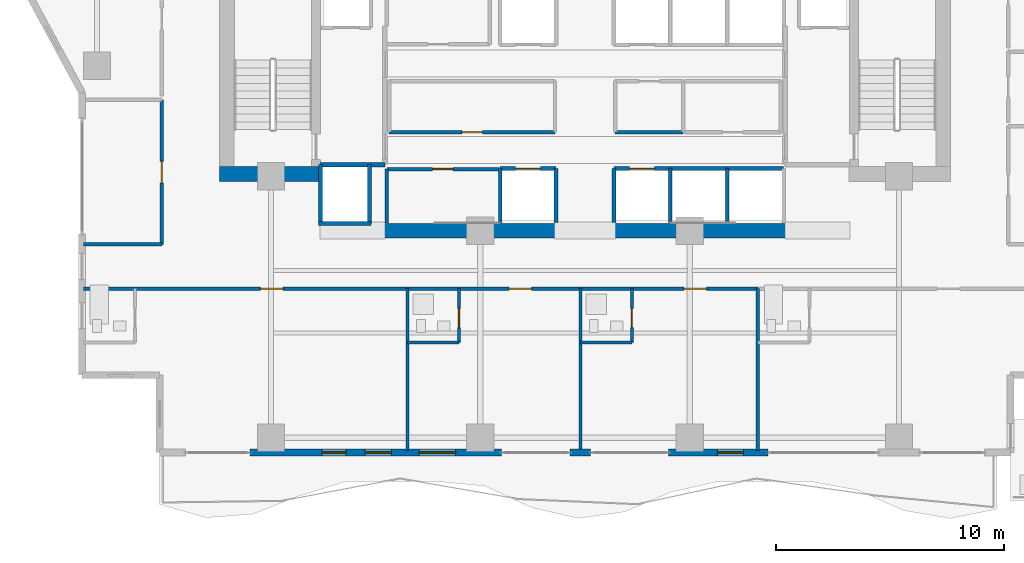
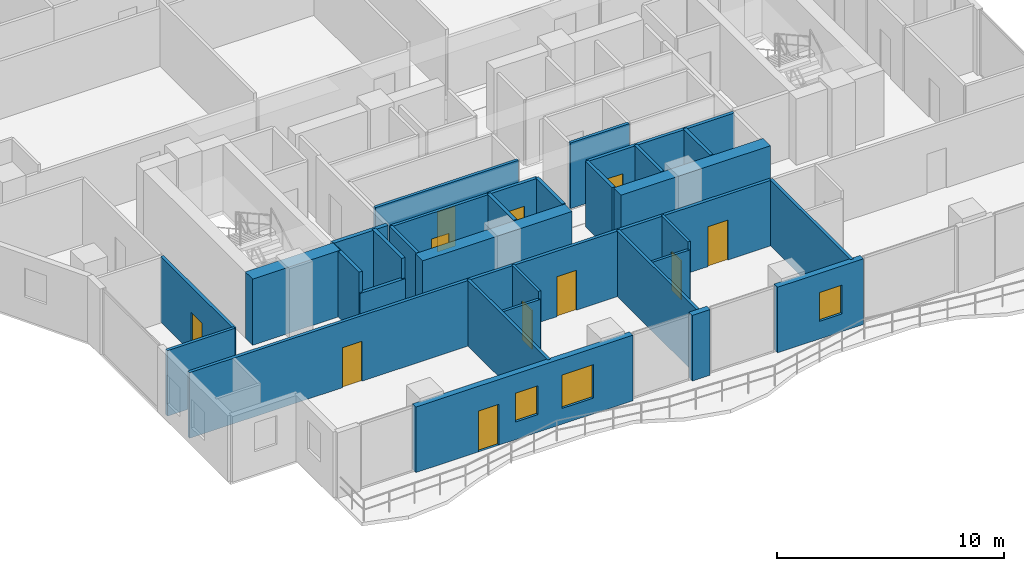
# One storey, part 24 of 33: 35 walls, 11 doors, 3 windows, 14 openings.
"""IFC4 building model written with IfcOpenShell, lengths in metres."""

from ifc_helpers import new_model, si_unit, direction, frame, frame_2d, origin, place, context, subcontext, project, spatial, rectangle, extrude, material, layer, layer_set, type_object, element, fill, save


model = new_model("IFC4")

# Units and contexts
model_context = context("Model", 3, precision=1e-05, world=origin(), true_north=direction((0.0, 1.0)))
body_context = subcontext(model_context, "Body", "Model", "MODEL_VIEW")
ifc_project = project(units=[si_unit("LENGTHUNIT", "METRE"), si_unit("AREAUNIT", "SQUARE_METRE"), si_unit("VOLUMEUNIT", "CUBIC_METRE"), si_unit("PLANEANGLEUNIT", "RADIAN"), si_unit("MASSUNIT", "GRAM", prefix="KILO")], contexts=[model_context])

# Site, building, storey
site_placement = place(None, origin())
site = spatial("IfcSite", under=ifc_project, at=site_placement, CompositionType="ELEMENT")
building_placement = place(site_placement, origin())
building = spatial("IfcBuilding", under=site, at=building_placement, Name="Zuhayl Quay Hotel", CompositionType="ELEMENT")
storey_placement = place(building_placement, frame((0.0, 0.0, 199.89990234375)))
storey = spatial("IfcBuildingStorey", under=building, at=storey_placement, Name="L50", CompositionType="ELEMENT", Elevation=199.89990234375)

# Walls
ifc_material_1 = material(Name="Concrete C50/60", Category="concrete")
ifc_layer_1 = layer(ifc_material_1, 0.64990234375, Name="Concrete C50/60", Category="concrete")
ifc_layer_set_1 = layer_set([ifc_layer_1], Name="Concrete C50/60")
wall_type_1 = type_object("IfcWallType", Name="WL_CORE_650", PredefinedType="SHEAR", material=ifc_layer_set_1)
wall_1_placement = place(storey_placement, frame((-16.06005859375, 4.64501953125, 0.0), z_axis=(0.0, 0.0, 1.0), x_axis=(1.0, 0.0, 0.0)))
element("IfcWall", 1, at=wall_1_placement, inside=storey, type_object=wall_type_1, Name="L50 Core Shear Wall CW_SW", PredefinedType="SHEAR", context=body_context, shape_type="SweptSolid", body=[
    extrude(rectangle(XDim=4.4599609375, YDim=0.64990234375, at=frame_2d((2.22998046875, 0.0))), origin(), (0.0, 0.0, 1.0), 3.56005859375),
])
for number, where, z_axis, x_axis, name in (
    (2, (-8.85009765625, 2.14990234375, 0.0), (0.0, 0.0, 1.0), (1.0, 0.0, 0.0), "L50 Core Shear Wall CW_SC_W"),
    (3, (1.25, 2.14990234375, 0.0), (0.0, 0.0, 1.0), (1.0, 0.0, 0.0), "L50 Core Shear Wall CW_SC_E"),
):
    element("IfcWall", number, at=place(storey_placement, frame(where, z_axis=z_axis, x_axis=x_axis)), inside=storey, type_object=wall_type_1, Name=name, PredefinedType="SHEAR", context=body_context, shape_type="SweptSolid", body=[
        extrude(rectangle(XDim=7.60009765625, YDim=0.64990234375, at=frame_2d((3.800048828125, 0.0))), origin(), (0.0, 0.0, 1.0), 3.530029296875),
    ])

# Wall, opening, window
ifc_material_2 = material(Name="Precast concrete C45/55", Category="concrete")
ifc_layer_2 = layer(ifc_material_2, 0.300048828125, Name="Precast concrete C45/55", Category="concrete")
ifc_layer_set_2 = layer_set([ifc_layer_2], Name="Precast concrete C45/55")
wall_type_2 = type_object("IfcWallType", Name="WL_EXT_300", PredefinedType="STANDARD", material=ifc_layer_set_2)
wall_2_placement = place(storey_placement, frame((8.050048828125, -7.60009765625, 0.0), z_axis=(0.0, 0.0, 1.0), x_axis=(-1.0, 0.0, 0.0)))
wall_2 = element("IfcWall", 4, at=wall_2_placement, inside=storey, type_object=wall_type_2, Name="L50 Exterior Precast Wall ENV_L50_S_EW3", PredefinedType="STANDARD", context=body_context, shape_type="SweptSolid", body=[
    extrude(rectangle(XDim=4.3701171875, YDim=0.300048828125, at=frame_2d((2.18505859375, 0.0))), origin(), (0.0, 0.0, 1.0), 3.530029296875),
])
opening_1_placement = place(wall_2_placement, frame((1.0849609375, 0.0, 0.949951171875)))
opening_1 = element("IfcOpeningElement", 5, at=opening_1_placement, cuts=wall_2, Name="Opening W01N", PredefinedType="OPENING", context=body_context, shape_type="SweptSolid", body=[
    extrude(rectangle(XDim=1.14990234375, YDim=1.550048828125, at=frame_2d((0.574951171875, 0.77490234375))), frame((0.0, 0.159912109375, 0.0), z_axis=(0.0, -1.0, 0.0), x_axis=(1.0, 0.0, 0.0)), (0.0, 0.0, 1.0), 0.320068359375),
])
ifc_material_3 = material(Name="Dark Ceramic-Fritted Solar Glass", Category="glass")
window_type_1 = type_object("IfcWindowType", Name="WN_NOTCH_1350", PartitioningType="SINGLE_PANEL", PredefinedType="WINDOW", material=ifc_material_3)
window_1_placement = place(opening_1_placement, origin())
window_1 = element("IfcWindow", 6, at=window_1_placement, inside=storey, type_object=window_type_1, Name="L50 Operable Facade Window 3-1", OverallHeight=1.550048828125, OverallWidth=1.14990234375, PartitioningType="SINGLE_PANEL", PredefinedType="WINDOW", context=body_context, shape_type="SweptSolid", body=[
    extrude(rectangle(XDim=1.14990234375, YDim=1.550048828125, at=frame_2d((0.574951171875, 0.77490234375))), frame((0.0, 0.030029296875, 0.0), z_axis=(0.0, -1.0, 0.0), x_axis=(1.0, 0.0, 0.0)), (0.0, 0.0, 1.0), 0.06005859375),
])
fill(opening_1, window_1)

# Wall
wall_3_placement = place(storey_placement, frame((0.25, -7.60009765625, 0.0), z_axis=(0.0, 0.0, 1.0), x_axis=(-1.0, 0.0, 0.0)))
element("IfcWall", 7, at=wall_3_placement, inside=storey, type_object=wall_type_2, Name="L50 Exterior Precast Wall ENV_L50_S_EW4", PredefinedType="STANDARD", context=body_context, shape_type="SweptSolid", body=[
    extrude(rectangle(XDim=0.89990234375, YDim=0.300048828125, at=frame_2d((0.449951171875, 0.0))), origin(), (0.0, 0.0, 1.0), 3.530029296875),
])

# Wall, openings, door, windows
wall_4_placement = place(storey_placement, frame((-3.679931640625, -7.60009765625, 0.0), z_axis=(0.0, 0.0, 1.0), x_axis=(-1.0, 0.0, 0.0)))
wall_4 = element("IfcWall", 8, at=wall_4_placement, inside=storey, type_object=wall_type_2, Name="L50 Exterior Precast Wall ENV_L50_S_EW5", PredefinedType="STANDARD", context=body_context, shape_type="SweptSolid", body=[
    extrude(rectangle(XDim=11.0400390625, YDim=0.300048828125, at=frame_2d((5.52001953125, 0.0))), origin(), (0.0, 0.0, 1.0), 3.530029296875),
])
opening_2_placement = place(wall_4_placement, frame((6.820068359375, 0.0, 0.0)))
opening_2 = element("IfcOpeningElement", 9, at=opening_2_placement, cuts=wall_4, Name="Opening DG1", PredefinedType="OPENING", context=body_context, shape_type="SweptSolid", body=[
    extrude(rectangle(XDim=1.050048828125, YDim=2.199951171875, at=frame_2d((0.52490234375, 1.10009765625))), frame((0.0, 0.159912109375, 0.0), z_axis=(0.0, -1.0, 0.0), x_axis=(1.0, 0.0, 0.0)), (0.0, 0.0, 1.0), 0.320068359375),
])
opening_3_placement = place(wall_4_placement, frame((2.010009765625, 0.0, 0.85009765625)))
opening_3 = element("IfcOpeningElement", 10, at=opening_3_placement, cuts=wall_4, Name="Opening W01", PredefinedType="OPENING", context=body_context, shape_type="SweptSolid", body=[
    extrude(rectangle(XDim=1.60009765625, YDim=1.800048828125, at=frame_2d((0.800048828125, 0.89990234375))), frame((0.0, 0.159912109375, 0.0), z_axis=(0.0, -1.0, 0.0), x_axis=(1.0, 0.0, 0.0)), (0.0, 0.0, 1.0), 0.320068359375),
])
opening_4_placement = place(wall_4_placement, frame((4.830078125, 0.0, 0.949951171875)))
opening_4 = element("IfcOpeningElement", 11, at=opening_4_placement, cuts=wall_4, Name="Opening W01N", PredefinedType="OPENING", context=body_context, shape_type="SweptSolid", body=[
    extrude(rectangle(XDim=1.14990234375, YDim=1.550048828125, at=frame_2d((0.574951171875, 0.77490234375))), frame((0.0, 0.159912109375, 0.0), z_axis=(0.0, -1.0, 0.0), x_axis=(1.0, 0.0, 0.0)), (0.0, 0.0, 1.0), 0.320068359375),
])
ifc_material_4 = material(Name="Anodised Aluminium and Dark Solar Glass", Category="aluminium")
door_type_1 = type_object("IfcDoorType", Name="DR_EXT_TERR_1050", OperationType="NOTDEFINED", PredefinedType="DOOR", material=ifc_material_4)
door_1_placement = place(opening_2_placement, origin())
door_1 = element("IfcDoor", 12, at=door_1_placement, inside=storey, type_object=door_type_1, Name="L50 South Rippling Balcony Door", OperationType="SINGLE_SWING_RIGHT", OverallHeight=2.199951171875, OverallWidth=1.050048828125, PredefinedType="DOOR", context=body_context, shape_type="SweptSolid", body=[
    extrude(rectangle(XDim=1.050048828125, YDim=2.199951171875, at=frame_2d((0.52490234375, 1.10009765625))), frame((0.0, 0.02490234375, 0.0), z_axis=(0.0, -1.0, 0.0), x_axis=(1.0, 0.0, 0.0)), (0.0, 0.0, 1.0), 0.050048828125),
])
fill(opening_2, door_1)
window_2_placement = place(opening_4_placement, origin())
window_2 = element("IfcWindow", 13, at=window_2_placement, inside=storey, type_object=window_type_1, Name="L50 Operable Facade Window 5-2", OverallHeight=1.550048828125, OverallWidth=1.14990234375, PartitioningType="SINGLE_PANEL", PredefinedType="WINDOW", context=body_context, shape_type="SweptSolid", body=[
    extrude(rectangle(XDim=1.14990234375, YDim=1.550048828125, at=frame_2d((0.574951171875, 0.77490234375))), frame((0.0, 0.030029296875, 0.0), z_axis=(0.0, -1.0, 0.0), x_axis=(1.0, 0.0, 0.0)), (0.0, 0.0, 1.0), 0.06005859375),
])
fill(opening_4, window_2)
window_type_2 = type_object("IfcWindowType", Name="WN_OPERABLE_1600", PartitioningType="DOUBLE_PANEL_VERTICAL", PredefinedType="WINDOW", material=ifc_material_3)
window_3_placement = place(opening_3_placement, origin())
window_3 = element("IfcWindow", 14, at=window_3_placement, inside=storey, type_object=window_type_2, Name="L50 Operable Facade Window 5-1", OverallHeight=1.800048828125, OverallWidth=1.60009765625, PartitioningType="SINGLE_PANEL", PredefinedType="WINDOW", context=body_context, shape_type="SweptSolid", body=[
    extrude(rectangle(XDim=1.60009765625, YDim=1.800048828125, at=frame_2d((0.800048828125, 0.89990234375))), frame((0.0, 0.030029296875, 0.0), z_axis=(0.0, -1.0, 0.0), x_axis=(1.0, 0.0, 0.0)), (0.0, 0.0, 1.0), 0.06005859375),
])
fill(opening_3, window_3)

# Wall, opening, door
ifc_material_5 = material(Name="Acoustic Gypsum Partition STC-58")
ifc_layer_3 = layer(ifc_material_5, 0.14990234375, Name="Acoustic Gypsum Partition STC-58")
ifc_layer_set_3 = layer_set([ifc_layer_3], Name="Acoustic Gypsum Partition STC-58")
wall_type_3 = type_object("IfcWallType", Name="WL_PART_150", PredefinedType="PARTITIONING", material=ifc_layer_set_3)
wall_5_placement = place(storey_placement, frame((-8.7099609375, 4.860107421875, 0.0), z_axis=(0.0, 0.0, 1.0), x_axis=(1.0, 0.0, 0.0)))
wall_5 = element("IfcWall", 15, at=wall_5_placement, inside=storey, type_object=wall_type_3, Name="L50 Partition IW_L50_FLP_S_N", PredefinedType="PARTITIONING", context=body_context, shape_type="SweptSolid", body=[
    extrude(rectangle(XDim=4.919921875, YDim=0.14990234375, at=frame_2d((2.4599609375, 0.0))), origin(), (0.0, 0.0, 1.0), 3.530029296875),
])
opening_5_placement = place(wall_5_placement, frame((2.010009765625, 0.0, 0.0)))
opening_5 = element("IfcOpeningElement", 16, at=opening_5_placement, cuts=wall_5, Name="Opening D06", PredefinedType="OPENING", context=body_context, shape_type="SweptSolid", body=[
    extrude(rectangle(XDim=0.89990234375, YDim=2.14990234375, at=frame_2d((0.449951171875, 1.074951171875))), frame((0.0, 0.0849609375, 0.0), z_axis=(0.0, -1.0, 0.0), x_axis=(1.0, 0.0, 0.0)), (0.0, 0.0, 1.0), 0.169921875),
])
ifc_material_6 = material(Name="Steel ASTM A992 Grade 50", Category="steel")
door_type_2 = type_object("IfcDoorType", Name="DR_INT_900", OperationType="NOTDEFINED", PredefinedType="DOOR", material=ifc_material_6)
door_2_placement = place(opening_5_placement, origin())
door_2 = element("IfcDoor", 17, at=door_2_placement, inside=storey, type_object=door_type_2, Name="L50 Sky-Zone Butler Servery Door", OperationType="SINGLE_SWING_RIGHT", OverallHeight=2.14990234375, OverallWidth=0.89990234375, PredefinedType="DOOR", context=body_context, shape_type="SweptSolid", body=[
    extrude(rectangle(XDim=0.89990234375, YDim=2.14990234375, at=frame_2d((0.449951171875, 1.074951171875))), frame((0.0, 0.02490234375, 0.0), z_axis=(0.0, -1.0, 0.0), x_axis=(1.0, 0.0, 0.0)), (0.0, 0.0, 1.0), 0.050048828125),
])
fill(opening_5, door_2)

wall_6_placement = place(storey_placement, frame((-8.610107421875, 6.47998046875, 0.0), z_axis=(0.0, 0.0, 1.0), x_axis=(1.0, 0.0, 0.0)))
wall_6 = element("IfcWall", 18, at=wall_6_placement, inside=storey, type_object=wall_type_3, Name="L50 Partition IW_L50_CORE_EL_S", PredefinedType="PARTITIONING", context=body_context, shape_type="SweptSolid", body=[
    extrude(rectangle(XDim=7.2900390625, YDim=0.14990234375, at=frame_2d((3.64501953125, 0.0))), origin(), (0.0, 0.0, 1.0), 3.530029296875),
])
opening_6_placement = place(wall_6_placement, frame((3.195068359375, 0.0, 0.0)))
opening_6 = element("IfcOpeningElement", 19, at=opening_6_placement, cuts=wall_6, Name="Opening D06", PredefinedType="OPENING", context=body_context, shape_type="SweptSolid", body=[
    extrude(rectangle(XDim=0.89990234375, YDim=2.14990234375, at=frame_2d((0.449951171875, 1.074951171875))), frame((0.0, 0.0849609375, 0.0), z_axis=(0.0, -1.0, 0.0), x_axis=(1.0, 0.0, 0.0)), (0.0, 0.0, 1.0), 0.169921875),
])
door_3_placement = place(opening_6_placement, origin())
door_3 = element("IfcDoor", 20, at=door_3_placement, inside=storey, type_object=door_type_2, Name="L50 Floor Electrical Plant Room Door", OperationType="SINGLE_SWING_RIGHT", OverallHeight=2.14990234375, OverallWidth=0.89990234375, PredefinedType="DOOR", context=body_context, shape_type="SweptSolid", body=[
    extrude(rectangle(XDim=0.89990234375, YDim=2.14990234375, at=frame_2d((0.449951171875, 1.074951171875))), frame((0.0, 0.02490234375, 0.0), z_axis=(0.0, -1.0, 0.0), x_axis=(1.0, 0.0, 0.0)), (0.0, 0.0, 1.0), 0.050048828125),
])
fill(opening_6, door_3)

# Walls
wall_7_placement = place(storey_placement, frame((-8.7099609375, 2.489990234375, 0.0), z_axis=(0.0, 0.0, 1.0), x_axis=(0.0, 1.0, 0.0)))
element("IfcWall", 21, at=wall_7_placement, inside=storey, type_object=wall_type_3, Name="L50 Partition IW_L50_FLP_S_W", PredefinedType="PARTITIONING", context=body_context, shape_type="SweptSolid", body=[
    extrude(rectangle(XDim=2.3701171875, YDim=0.14990234375, at=frame_2d((1.18505859375, 0.0))), origin(), (0.0, 0.0, 1.0), 3.530029296875),
])
wall_8_placement = place(storey_placement, frame((1.320068359375, 6.47998046875, 0.0), z_axis=(0.0, 0.0, 1.0), x_axis=(1.0, 0.0, 0.0)))
element("IfcWall", 22, at=wall_8_placement, inside=storey, type_object=wall_type_3, Name="L50 Partition IW_L50_CORE_IT_S", PredefinedType="PARTITIONING", context=body_context, shape_type="SweptSolid", body=[
    extrude(rectangle(XDim=2.989990234375, YDim=0.14990234375, at=frame_2d((1.4951171875, 0.0))), origin(), (0.0, 0.0, 1.0), 3.530029296875),
])
for number, where, z_axis, x_axis, name in (
    (23, (-7.800048828125, -7.52001953125, 0.0), (0.0, 0.0, 1.0), (0.0, 1.0, 0.0), "L50 Partition IW_L50_SU01_E"),
    (24, (-0.199951171875, -7.52001953125, 0.0), (0.0, 0.0, 1.0), (0.0, 1.0, 0.0), "L50 Partition IW_L50_SU02_E"),
    (25, (7.60009765625, -7.52001953125, 0.0), (0.0, 0.0, 1.0), (0.0, 1.0, 0.0), "L50 Partition IW_L50_SU03_E"),
):
    element("IfcWall", number, at=place(storey_placement, frame(where, z_axis=z_axis, x_axis=x_axis)), inside=storey, type_object=wall_type_3, Name=name, PredefinedType="PARTITIONING", context=body_context, shape_type="SweptSolid", body=[
        extrude(rectangle(XDim=7.1201171875, YDim=0.14990234375, at=frame_2d((3.56005859375, 0.0))), origin(), (0.0, 0.0, 1.0), 3.530029296875),
    ])
wall_9_placement = place(storey_placement, frame((-22.0400390625, 1.550048828125, 0.0), z_axis=(0.0, 0.0, 1.0), x_axis=(1.0, 0.0, 0.0)))
element("IfcWall", 26, at=wall_9_placement, inside=storey, type_object=wall_type_3, Name="L50 Partition IW_L50_WPROW_1_S", PredefinedType="PARTITIONING", context=body_context, shape_type="SweptSolid", body=[
    extrude(rectangle(XDim=3.43994140625, YDim=0.14990234375, at=frame_2d((1.719970703125, 0.0))), origin(), (0.0, 0.0, 1.0), 3.530029296875),
])

# Wall, opening, door
ifc_layer_4 = layer(ifc_material_5, 0.159912109375, Name="Acoustic Gypsum Partition STC-58")
ifc_layer_set_4 = layer_set([ifc_layer_4], Name="Acoustic Gypsum Partition STC-58")
wall_type_4 = type_object("IfcWallType", Name="WL_PART_CORR_160", PredefinedType="PARTITIONING", material=ifc_layer_set_4)
wall_10_placement = place(storey_placement, frame((-22.0400390625, -0.39990234375, 0.0), z_axis=(0.0, 0.0, 1.0), x_axis=(1.0, 0.0, 0.0)))
wall_10 = element("IfcWall", 27, at=wall_10_placement, inside=storey, type_object=wall_type_4, Name="L50 Partition IW_L50_SU01_COR", PredefinedType="PARTITIONING", context=body_context, shape_type="SweptSolid", body=[
    extrude(rectangle(XDim=14.239990234375, YDim=0.159912109375, at=frame_2d((7.1201171875, 0.0))), origin(), (0.0, 0.0, 1.0), 3.530029296875),
])
opening_7_placement = place(wall_10_placement, frame((7.77001953125, 0.0, 0.0)))
opening_7 = element("IfcOpeningElement", 28, at=opening_7_placement, cuts=wall_10, Name="Opening D03L", PredefinedType="OPENING", context=body_context, shape_type="SweptSolid", body=[
    extrude(rectangle(XDim=1.0, YDim=2.14990234375, at=frame_2d((0.5, 1.074951171875))), frame((0.0, 0.08984375, 0.0), z_axis=(0.0, -1.0, 0.0), x_axis=(1.0, 0.0, 0.0)), (0.0, 0.0, 1.0), 0.179931640625),
])
ifc_material_7 = material(Name="Solid Walnut Acoustic Fire Door")
door_type_3 = type_object("IfcDoorType", Name="DR_SUITE_1000", OperationType="NOTDEFINED", PredefinedType="DOOR", material=ifc_material_7)
door_4_placement = place(opening_7_placement, origin())
door_4 = element("IfcDoor", 29, at=door_4_placement, inside=storey, type_object=door_type_3, Name="L50 City-View Junior Suite L50-01 Entrance Door", OperationType="SINGLE_SWING_RIGHT", OverallHeight=2.14990234375, OverallWidth=1.0, PredefinedType="DOOR", context=body_context, shape_type="SweptSolid", body=[
    extrude(rectangle(XDim=1.0, YDim=2.14990234375, at=frame_2d((0.5, 1.074951171875))), frame((0.0, 0.02490234375, 0.0), z_axis=(0.0, -1.0, 0.0), x_axis=(1.0, 0.0, 0.0)), (0.0, 0.0, 1.0), 0.050048828125),
])
fill(opening_7, door_4)

wall_11_placement = place(storey_placement, frame((-7.800048828125, -0.39990234375, 0.0), z_axis=(0.0, 0.0, 1.0), x_axis=(1.0, 0.0, 0.0)))
wall_11 = element("IfcWall", 30, at=wall_11_placement, inside=storey, type_object=wall_type_4, Name="L50 Partition IW_L50_SU02_COR", PredefinedType="PARTITIONING", context=body_context, shape_type="SweptSolid", body=[
    extrude(rectangle(XDim=7.60009765625, YDim=0.159912109375, at=frame_2d((3.800048828125, 0.0))), origin(), (0.0, 0.0, 1.0), 3.530029296875),
])
opening_8_placement = place(wall_11_placement, frame((4.449951171875, 0.0, 0.0)))
opening_8 = element("IfcOpeningElement", 31, at=opening_8_placement, cuts=wall_11, Name="Opening D03L", PredefinedType="OPENING", context=body_context, shape_type="SweptSolid", body=[
    extrude(rectangle(XDim=1.0, YDim=2.14990234375, at=frame_2d((0.5, 1.074951171875))), frame((0.0, 0.08984375, 0.0), z_axis=(0.0, -1.0, 0.0), x_axis=(1.0, 0.0, 0.0)), (0.0, 0.0, 1.0), 0.179931640625),
])
door_5_placement = place(opening_8_placement, origin())
door_5 = element("IfcDoor", 32, at=door_5_placement, inside=storey, type_object=door_type_3, Name="L50 City-View Junior Suite L50-02 Entrance Door", OperationType="SINGLE_SWING_RIGHT", OverallHeight=2.14990234375, OverallWidth=1.0, PredefinedType="DOOR", context=body_context, shape_type="SweptSolid", body=[
    extrude(rectangle(XDim=1.0, YDim=2.14990234375, at=frame_2d((0.5, 1.074951171875))), frame((0.0, 0.02490234375, 0.0), z_axis=(0.0, -1.0, 0.0), x_axis=(1.0, 0.0, 0.0)), (0.0, 0.0, 1.0), 0.050048828125),
])
fill(opening_8, door_5)

wall_12_placement = place(storey_placement, frame((-0.199951171875, -0.39990234375, 0.0), z_axis=(0.0, 0.0, 1.0), x_axis=(1.0, 0.0, 0.0)))
wall_12 = element("IfcWall", 33, at=wall_12_placement, inside=storey, type_object=wall_type_4, Name="L50 Partition IW_L50_SU03_COR", PredefinedType="PARTITIONING", context=body_context, shape_type="SweptSolid", body=[
    extrude(rectangle(XDim=7.800048828125, YDim=0.159912109375, at=frame_2d((3.89990234375, 0.0))), origin(), (0.0, 0.0, 1.0), 3.530029296875),
])
opening_9_placement = place(wall_12_placement, frame((4.550048828125, 0.0, 0.0)))
opening_9 = element("IfcOpeningElement", 34, at=opening_9_placement, cuts=wall_12, Name="Opening D03L", PredefinedType="OPENING", context=body_context, shape_type="SweptSolid", body=[
    extrude(rectangle(XDim=1.0, YDim=2.14990234375, at=frame_2d((0.5, 1.074951171875))), frame((0.0, 0.08984375, 0.0), z_axis=(0.0, -1.0, 0.0), x_axis=(1.0, 0.0, 0.0)), (0.0, 0.0, 1.0), 0.179931640625),
])
door_6_placement = place(opening_9_placement, origin())
door_6 = element("IfcDoor", 35, at=door_6_placement, inside=storey, type_object=door_type_3, Name="L50 City-View Junior Suite L50-03 Entrance Door", OperationType="SINGLE_SWING_RIGHT", OverallHeight=2.14990234375, OverallWidth=1.0, PredefinedType="DOOR", context=body_context, shape_type="SweptSolid", body=[
    extrude(rectangle(XDim=1.0, YDim=2.14990234375, at=frame_2d((0.5, 1.074951171875))), frame((0.0, 0.02490234375, 0.0), z_axis=(0.0, -1.0, 0.0), x_axis=(1.0, 0.0, 0.0)), (0.0, 0.0, 1.0), 0.050048828125),
])
fill(opening_9, door_6)

wall_13_placement = place(storey_placement, frame((-18.60009765625, 1.550048828125, 0.0), z_axis=(0.0, 0.0, 1.0), x_axis=(0.0, 1.0, 0.0)))
wall_13 = element("IfcWall", 36, at=wall_13_placement, inside=storey, type_object=wall_type_4, Name="L50 Partition IW_L50_WPROW_1_E", PredefinedType="PARTITIONING", context=body_context, shape_type="SweptSolid", body=[
    extrude(rectangle(XDim=6.349853515625, YDim=0.159912109375, at=frame_2d((3.1748046875, 0.0))), origin(), (0.0, 0.0, 1.0), 3.530029296875),
])
opening_10_placement = place(wall_13_placement, frame((2.699951171875, 0.0, 0.0)))
opening_10 = element("IfcOpeningElement", 37, at=opening_10_placement, cuts=wall_13, Name="Opening D03", PredefinedType="OPENING", context=body_context, shape_type="SweptSolid", body=[
    extrude(rectangle(XDim=0.949951171875, YDim=2.14990234375, at=frame_2d((0.47509765625, 1.074951171875))), frame((0.0, 0.08984375, 0.0), z_axis=(0.0, -1.0, 0.0), x_axis=(1.0, 0.0, 0.0)), (0.0, 0.0, 1.0), 0.179931640625),
])
door_type_4 = type_object("IfcDoorType", Name="DR_SUITE_950", OperationType="NOTDEFINED", PredefinedType="DOOR", material=ifc_material_7)
door_7_placement = place(opening_10_placement, origin())
door_7 = element("IfcDoor", 38, at=door_7_placement, inside=storey, type_object=door_type_4, Name="L50 West Prow Office L50 Door", OperationType="SINGLE_SWING_RIGHT", OverallHeight=2.14990234375, OverallWidth=0.949951171875, PredefinedType="DOOR", context=body_context, shape_type="SweptSolid", body=[
    extrude(rectangle(XDim=0.949951171875, YDim=2.14990234375, at=frame_2d((0.47509765625, 1.074951171875))), frame((0.0, 0.02490234375, 0.0), z_axis=(0.0, -1.0, 0.0), x_axis=(1.0, 0.0, 0.0)), (0.0, 0.0, 1.0), 0.050048828125),
])
fill(opening_10, door_7)

ifc_material_8 = material(Name="Moisture-Resistant Sanitarychase Gypsum")
ifc_layer_5 = layer(ifc_material_8, 0.135009765625, Name="Moisture-Resistant Sanitarychase Gypsum")
ifc_layer_set_5 = layer_set([ifc_layer_5], Name="Moisture-Resistant Sanitarychase Gypsum")
wall_type_5 = type_object("IfcWallType", Name="WL_PART_PLUMB_150", PredefinedType="PLUMBINGWALL", material=ifc_layer_set_5)
wall_14_placement = place(storey_placement, frame((-5.5400390625, -2.760009765625, 0.0), z_axis=(0.0, 0.0, 1.0), x_axis=(0.0, 1.0, 0.0)))
wall_14 = element("IfcWall", 39, at=wall_14_placement, inside=storey, type_object=wall_type_5, Name="L50 Partition IW_L50_SU02_BE", PredefinedType="PLUMBINGWALL", context=body_context, shape_type="SweptSolid", body=[
    extrude(rectangle(XDim=2.360107421875, YDim=0.135009765625, at=frame_2d((1.18017578125, 0.0))), origin(), (0.0, 0.0, 1.0), 3.530029296875),
])
opening_11_placement = place(wall_14_placement, frame((0.64990234375, 0.0, 0.0)))
opening_11 = element("IfcOpeningElement", 40, at=opening_11_placement, cuts=wall_14, Name="Opening D04", PredefinedType="OPENING", context=body_context, shape_type="SweptSolid", body=[
    extrude(rectangle(XDim=0.85009765625, YDim=2.10009765625, at=frame_2d((0.425048828125, 1.050048828125))), frame((0.0, 0.077392578125, 0.0), z_axis=(0.0, -1.0, 0.0), x_axis=(1.0, 0.0, 0.0)), (0.0, 0.0, 1.0), 0.155029296875),
])
ifc_material_9 = material(Name="Moisture-Resistant Walnut Veneer")
door_type_5 = type_object("IfcDoorType", Name="DR_BATH_850", OperationType="NOTDEFINED", PredefinedType="DOOR", material=ifc_material_9)
door_8_placement = place(opening_11_placement, origin())
door_8 = element("IfcDoor", 41, at=door_8_placement, inside=storey, type_object=door_type_5, Name="L50 City-View Junior Suite L50-02 En-Suite Door", OperationType="SINGLE_SWING_LEFT", OverallHeight=2.10009765625, OverallWidth=0.85009765625, PredefinedType="DOOR", context=body_context, shape_type="SweptSolid", body=[
    extrude(rectangle(XDim=0.85009765625, YDim=2.10009765625, at=frame_2d((0.425048828125, 1.050048828125))), frame((0.0, 0.02490234375, 0.0), z_axis=(0.0, -1.0, 0.0), x_axis=(1.0, 0.0, 0.0)), (0.0, 0.0, 1.0), 0.050048828125),
])
fill(opening_11, door_8)

wall_15_placement = place(storey_placement, frame((2.06005859375, -2.760009765625, 0.0), z_axis=(0.0, 0.0, 1.0), x_axis=(0.0, 1.0, 0.0)))
wall_15 = element("IfcWall", 42, at=wall_15_placement, inside=storey, type_object=wall_type_5, Name="L50 Partition IW_L50_SU03_BE", PredefinedType="PLUMBINGWALL", context=body_context, shape_type="SweptSolid", body=[
    extrude(rectangle(XDim=2.360107421875, YDim=0.135009765625, at=frame_2d((1.18017578125, 0.0))), origin(), (0.0, 0.0, 1.0), 3.530029296875),
])
opening_12_placement = place(wall_15_placement, frame((0.64990234375, 0.0, 0.0)))
opening_12 = element("IfcOpeningElement", 43, at=opening_12_placement, cuts=wall_15, Name="Opening D04", PredefinedType="OPENING", context=body_context, shape_type="SweptSolid", body=[
    extrude(rectangle(XDim=0.85009765625, YDim=2.10009765625, at=frame_2d((0.425048828125, 1.050048828125))), frame((0.0, 0.077392578125, 0.0), z_axis=(0.0, -1.0, 0.0), x_axis=(1.0, 0.0, 0.0)), (0.0, 0.0, 1.0), 0.155029296875),
])
door_9_placement = place(opening_12_placement, origin())
door_9 = element("IfcDoor", 44, at=door_9_placement, inside=storey, type_object=door_type_5, Name="L50 City-View Junior Suite L50-03 En-Suite Door", OperationType="SINGLE_SWING_LEFT", OverallHeight=2.10009765625, OverallWidth=0.85009765625, PredefinedType="DOOR", context=body_context, shape_type="SweptSolid", body=[
    extrude(rectangle(XDim=0.85009765625, YDim=2.10009765625, at=frame_2d((0.425048828125, 1.050048828125))), frame((0.0, 0.02490234375, 0.0), z_axis=(0.0, -1.0, 0.0), x_axis=(1.0, 0.0, 0.0)), (0.0, 0.0, 1.0), 0.050048828125),
])
fill(opening_12, door_9)

# Walls
for number, where, z_axis, x_axis, name in (
    (45, (-7.800048828125, -2.760009765625, 0.0), (0.0, 0.0, 1.0), (1.0, 0.0, 0.0), "L50 Partition IW_L50_SU02_BS"),
    (46, (-0.199951171875, -2.760009765625, 0.0), (0.0, 0.0, 1.0), (1.0, 0.0, 0.0), "L50 Partition IW_L50_SU03_BS"),
):
    element("IfcWall", number, at=place(storey_placement, frame(where, z_axis=z_axis, x_axis=x_axis)), inside=storey, type_object=wall_type_5, Name=name, PredefinedType="PLUMBINGWALL", context=body_context, shape_type="SweptSolid", body=[
        extrude(rectangle(XDim=2.260009765625, YDim=0.135009765625, at=frame_2d((1.1298828125, 0.0))), origin(), (0.0, 0.0, 1.0), 3.1240234375),
    ])

# Wall, opening, door
ifc_material_10 = material(Name="Gypsum Fireboard Assembly EI-90")
ifc_layer_6 = layer(ifc_material_10, 0.1650390625, Name="Gypsum Fireboard Assembly EI-90")
ifc_layer_set_6 = layer_set([ifc_layer_6], Name="Gypsum Fireboard Assembly EI-90")
wall_type_6 = type_object("IfcWallType", Name="WL_PART_SHAFT_160", PredefinedType="PARTITIONING", material=ifc_layer_set_6)
wall_16_placement = place(storey_placement, frame((-3.72998046875, 4.8798828125, 0.0), z_axis=(0.0, 0.0, 1.0), x_axis=(1.0, 0.0, 0.0)))
wall_16 = element("IfcWall", 47, at=wall_16_placement, inside=storey, type_object=wall_type_6, Name="L50 Partition IW_L50_SH_MP1_F", PredefinedType="PARTITIONING", context=body_context, shape_type="SweptSolid", body=[
    extrude(rectangle(XDim=2.4599609375, YDim=0.1650390625, at=frame_2d((1.22998046875, 0.0))), origin(), (0.0, 0.0, 1.0), 3.530029296875),
])
opening_13_placement = place(wall_16_placement, frame((0.679931640625, 0.0, 0.0)))
opening_13 = element("IfcOpeningElement", 48, at=opening_13_placement, cuts=wall_16, Name="Opening LD1", PredefinedType="OPENING", context=body_context, shape_type="SweptSolid", body=[
    extrude(rectangle(XDim=1.10009765625, YDim=2.25, at=frame_2d((0.550048828125, 1.125))), frame((0.0, 0.092529296875, 0.0), z_axis=(0.0, -1.0, 0.0), x_axis=(1.0, 0.0, 0.0)), (0.0, 0.0, 1.0), 0.18505859375),
])
ifc_material_11 = material(Name="Brushed Stainless Steel", Category="steel")
door_type_6 = type_object("IfcDoorType", Name="DR_LIFT_PASS_1100", OperationType="SLIDING_TO_LEFT", PredefinedType="DOOR", material=ifc_material_11)
door_10_placement = place(opening_13_placement, origin())
door_10 = element("IfcDoor", 49, at=door_10_placement, inside=storey, type_object=door_type_6, Name="L50 Lift MP1 Sliding Landing Door", OperationType="SLIDING_TO_LEFT", OverallHeight=2.25, OverallWidth=1.10009765625, PredefinedType="DOOR", context=body_context, shape_type="SweptSolid", body=[
    extrude(rectangle(XDim=1.10009765625, YDim=2.25, at=frame_2d((0.550048828125, 1.125))), frame((0.0, 0.02490234375, 0.0), z_axis=(0.0, -1.0, 0.0), x_axis=(1.0, 0.0, 0.0)), (0.0, 0.0, 1.0), 0.050048828125),
])
fill(opening_13, door_10)

wall_17_placement = place(storey_placement, frame((1.27001953125, 4.8798828125, 0.0), z_axis=(0.0, 0.0, 1.0), x_axis=(1.0, 0.0, 0.0)))
wall_17 = element("IfcWall", 50, at=wall_17_placement, inside=storey, type_object=wall_type_6, Name="L50 Partition IW_L50_SH_MP2_F", PredefinedType="PARTITIONING", context=body_context, shape_type="SweptSolid", body=[
    extrude(rectangle(XDim=2.47998046875, YDim=0.1650390625, at=frame_2d((1.239990234375, 0.0))), origin(), (0.0, 0.0, 1.0), 3.530029296875),
])
opening_14_placement = place(wall_17_placement, frame((0.68994140625, 0.0, 0.0)))
opening_14 = element("IfcOpeningElement", 51, at=opening_14_placement, cuts=wall_17, Name="Opening LD1", PredefinedType="OPENING", context=body_context, shape_type="SweptSolid", body=[
    extrude(rectangle(XDim=1.10009765625, YDim=2.25, at=frame_2d((0.550048828125, 1.125))), frame((0.0, 0.092529296875, 0.0), z_axis=(0.0, -1.0, 0.0), x_axis=(1.0, 0.0, 0.0)), (0.0, 0.0, 1.0), 0.18505859375),
])
door_11_placement = place(opening_14_placement, origin())
door_11 = element("IfcDoor", 52, at=door_11_placement, inside=storey, type_object=door_type_6, Name="L50 Lift MP2 Sliding Landing Door", OperationType="SLIDING_TO_LEFT", OverallHeight=2.25, OverallWidth=1.10009765625, PredefinedType="DOOR", context=body_context, shape_type="SweptSolid", body=[
    extrude(rectangle(XDim=1.10009765625, YDim=2.25, at=frame_2d((0.550048828125, 1.125))), frame((0.0, 0.02490234375, 0.0), z_axis=(0.0, -1.0, 0.0), x_axis=(1.0, 0.0, 0.0)), (0.0, 0.0, 1.0), 0.050048828125),
])
fill(opening_14, door_11)

# Walls
for number, where, z_axis, x_axis, name in (
    (53, (-3.72998046875, 2.52001953125, 0.0), (0.0, 0.0, 1.0), (0.0, 1.0, 0.0), "L50 Partition IW_L50_SH_MP1_W"),
    (54, (-1.27001953125, 2.52001953125, 0.0), (0.0, 0.0, 1.0), (0.0, 1.0, 0.0), "L50 Partition IW_L50_SH_MP1_E"),
    (55, (1.27001953125, 2.52001953125, 0.0), (0.0, 0.0, 1.0), (0.0, 1.0, 0.0), "L50 Partition IW_L50_SH_MP2_W"),
    (56, (3.75, 2.52001953125, 0.0), (0.0, 0.0, 1.0), (0.0, 1.0, 0.0), "L50 Partition IW_L50_SH_MP2_E"),
):
    element("IfcWall", number, at=place(storey_placement, frame(where, z_axis=z_axis, x_axis=x_axis)), inside=storey, type_object=wall_type_6, Name=name, PredefinedType="PARTITIONING", context=body_context, shape_type="SweptSolid", body=[
        extrude(rectangle(XDim=2.35986328125, YDim=0.1650390625, at=frame_2d((1.179931640625, 0.0))), origin(), (0.0, 0.0, 1.0), 3.530029296875),
    ])
wall_18_placement = place(storey_placement, frame((3.75, 4.8798828125, 0.0), z_axis=(0.0, 0.0, 1.0), x_axis=(1.0, 0.0, 0.0)))
element("IfcWall", 57, at=wall_18_placement, inside=storey, type_object=wall_type_6, Name="L50 Partition IW_L50_SH_HP1_F", PredefinedType="PARTITIONING", context=body_context, shape_type="SweptSolid", body=[
    extrude(rectangle(XDim=2.5, YDim=0.1650390625, at=frame_2d((1.25, 0.0))), origin(), (0.0, 0.0, 1.0), 3.530029296875),
])
wall_19_placement = place(storey_placement, frame((6.25, 2.52001953125, 0.0), z_axis=(0.0, 0.0, 1.0), x_axis=(0.0, 1.0, 0.0)))
element("IfcWall", 58, at=wall_19_placement, inside=storey, type_object=wall_type_6, Name="L50 Partition IW_L50_SH_HP1_E", PredefinedType="PARTITIONING", context=body_context, shape_type="SweptSolid", body=[
    extrude(rectangle(XDim=2.35986328125, YDim=0.1650390625, at=frame_2d((1.179931640625, 0.0))), origin(), (0.0, 0.0, 1.0), 3.530029296875),
])
wall_20_placement = place(storey_placement, frame((6.25, 4.8798828125, 0.0), z_axis=(0.0, 0.0, 1.0), x_axis=(1.0, 0.0, 0.0)))
element("IfcWall", 59, at=wall_20_placement, inside=storey, type_object=wall_type_6, Name="L50 Partition IW_L50_SH_HP2_F", PredefinedType="PARTITIONING", context=body_context, shape_type="SweptSolid", body=[
    extrude(rectangle(XDim=2.47998046875, YDim=0.1650390625, at=frame_2d((1.239990234375, 0.0))), origin(), (0.0, 0.0, 1.0), 3.530029296875),
])
wall_21_placement = place(storey_placement, frame((-11.6298828125, 2.469970703125, 0.0), z_axis=(0.0, 0.0, 1.0), x_axis=(0.0, 1.0, 0.0)))
element("IfcWall", 60, at=wall_21_placement, inside=storey, type_object=wall_type_6, Name="L50 Partition IW_L50_RISER_W", PredefinedType="PARTITIONING", context=body_context, shape_type="SweptSolid", body=[
    extrude(rectangle(XDim=2.580078125, YDim=0.1650390625, at=frame_2d((1.2900390625, 0.0))), origin(), (0.0, 0.0, 1.0), 3.530029296875),
])
wall_22_placement = place(storey_placement, frame((-11.7099609375, 2.469970703125, 0.0), z_axis=(0.0, 0.0, 1.0), x_axis=(1.0, 0.0, 0.0)))
element("IfcWall", 61, at=wall_22_placement, inside=storey, type_object=wall_type_6, Name="L50 Partition IW_L50_RISER_S", PredefinedType="PARTITIONING", context=body_context, shape_type="SweptSolid", body=[
    extrude(rectangle(XDim=2.31005859375, YDim=0.1650390625, at=frame_2d((1.155029296875, 0.0))), origin(), (0.0, 0.0, 1.0), 2.43017578125),
])
ifc_layer_7 = layer(ifc_material_10, 0.179931640625, Name="Gypsum Fireboard Assembly EI-90")
ifc_layer_set_7 = layer_set([ifc_layer_7], Name="Gypsum Fireboard Assembly EI-90")
wall_type_7 = type_object("IfcWallType", Name="WL_PART_SHAFT_180", PredefinedType="PARTITIONING", material=ifc_layer_set_7)
wall_23_placement = place(storey_placement, frame((-9.469970703125, 2.449951171875, 0.0), z_axis=(0.0, 0.0, 1.0), x_axis=(0.0, 1.0, 0.0)))
element("IfcWall", 62, at=wall_23_placement, inside=storey, type_object=wall_type_7, Name="L50 Partition IW_L50_RISER_E", PredefinedType="PARTITIONING", context=body_context, shape_type="SweptSolid", body=[
    extrude(rectangle(XDim=2.60009765625, YDim=0.179931640625, at=frame_2d((1.300048828125, 0.0))), origin(), (0.0, 0.0, 1.0), 3.530029296875),
])
ifc_material_12 = material(Name="Gypsum Fireboard Assembly EI-120")
ifc_layer_8 = layer(ifc_material_12, 0.199951171875, Name="Gypsum Fireboard Assembly EI-120")
ifc_layer_set_8 = layer_set([ifc_layer_8], Name="Gypsum Fireboard Assembly EI-120")
wall_type_8 = type_object("IfcWallType", Name="WL_PART_SHAFT_200", PredefinedType="PARTITIONING", material=ifc_layer_set_8)
wall_24_placement = place(storey_placement, frame((-11.64990234375, 5.050048828125, 0.0), z_axis=(0.0, 0.0, 1.0), x_axis=(1.0, 0.0, 0.0)))
element("IfcWall", 63, at=wall_24_placement, inside=storey, type_object=wall_type_8, Name="L50 Partition IW_L50_FSAE_W_S", PredefinedType="PARTITIONING", context=body_context, shape_type="SweptSolid", body=[
    extrude(rectangle(XDim=2.849853515625, YDim=0.199951171875, at=frame_2d((1.4248046875, 0.0))), origin(), (0.0, 0.0, 1.0), 3.530029296875),
])

save(model, "model.ifc")
